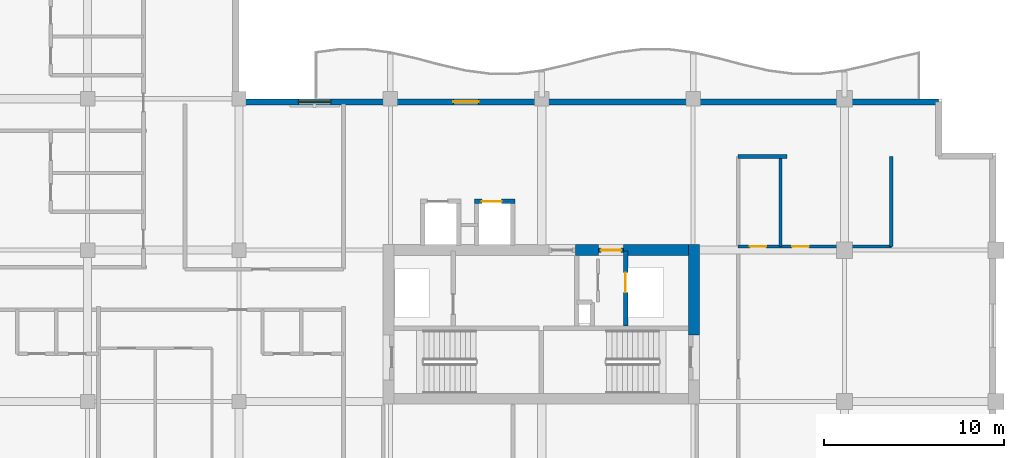
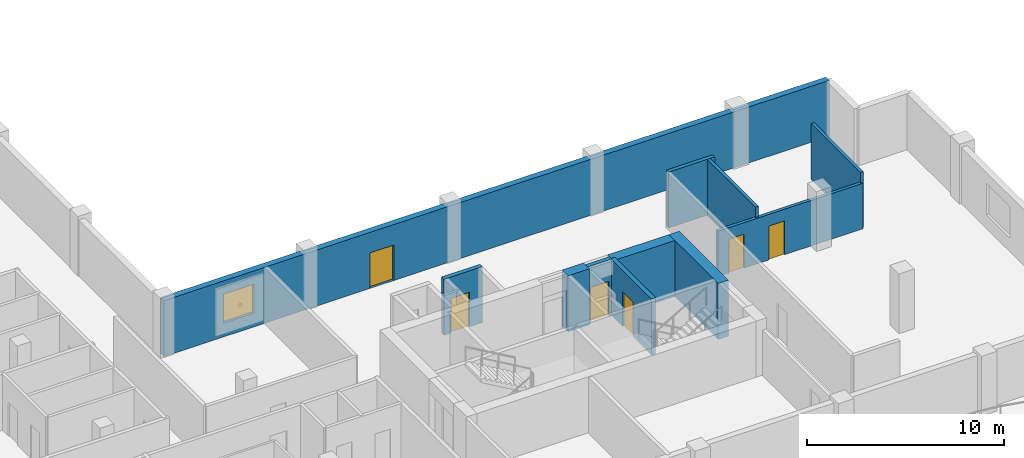
# One storey, part 5 of 12: 11 walls, 6 doors, 1 window, 7 openings.
"""IFC4 building model written with IfcOpenShell, lengths in metres."""

from ifc_helpers import new_model, si_unit, direction, frame, frame_2d, origin, place, context, subcontext, project, spatial, rectangle, extrude, material, layer, layer_set, type_object, element, fill, save


model = new_model("IFC4")

# Units and contexts
model_context = context("Model", 3, precision=1e-05, world=origin(), true_north=direction((0.0, 1.0)))
body_context = subcontext(model_context, "Body", "Model", "MODEL_VIEW")
ifc_project = project(units=[si_unit("LENGTHUNIT", "METRE"), si_unit("AREAUNIT", "SQUARE_METRE"), si_unit("VOLUMEUNIT", "CUBIC_METRE"), si_unit("PLANEANGLEUNIT", "RADIAN"), si_unit("MASSUNIT", "GRAM", prefix="KILO")], contexts=[model_context])

# Site, building, storey
site_placement = place(None, origin())
site = spatial("IfcSite", under=ifc_project, at=site_placement, CompositionType="ELEMENT")
building_placement = place(site_placement, origin())
building = spatial("IfcBuilding", under=site, at=building_placement, Name="Koriwani Terraces Tower", CompositionType="ELEMENT")
storey_placement = place(building_placement, frame((0.0, 0.0, 256.39990234375)))
storey = spatial("IfcBuildingStorey", under=building, at=storey_placement, Name="L63", CompositionType="ELEMENT", Elevation=256.39990234375)

# Walls
ifc_material_1 = material(Name="Concrete C60/75", Category="concrete")
ifc_layer_1 = layer(ifc_material_1, 0.60009765625, Name="Concrete C60/75")
ifc_layer_set_1 = layer_set([ifc_layer_1], Name="Concrete C60/75")
wall_type_1 = type_object("IfcWallType", Name="WALL_CORE_RC_600", PredefinedType="SHEAR", material=ifc_layer_set_1)
wall_1_placement = place(storey_placement, frame((58.85009765625, 20.5, 0.0), z_axis=(0.0, 0.0, 1.0), x_axis=(0.0, 1.0, 0.0)))
element("IfcWall", 1, at=wall_1_placement, inside=storey, type_object=wall_type_1, Name="L63 East Split Core Shear Wall E2", PredefinedType="SHEAR", context=body_context, shape_type="SweptSolid", body=[
    extrude(rectangle(XDim=5.0, YDim=0.60009765625, at=frame_2d((2.5, 0.0))), origin(), (0.0, 0.0, 1.0), 3.47021484375),
])
wall_2_placement = place(storey_placement, frame((52.280029296875, 25.199951171875, 0.0), z_axis=(0.0, 0.0, 1.0), x_axis=(1.0, 0.0, 0.0)))
element("IfcWall", 2, at=wall_2_placement, inside=storey, type_object=wall_type_1, Name="L63 East Split Core Shear Wall N2", PredefinedType="SHEAR", context=body_context, shape_type="SweptSolid", body=[
    extrude(rectangle(XDim=1.27001953125, YDim=0.60009765625, at=frame_2d((0.635009765625, 0.0))), origin(), (0.0, 0.0, 1.0), 3.47021484375),
])
wall_3_placement = place(storey_placement, frame((54.949951171875, 25.199951171875, 0.0), z_axis=(0.0, 0.0, 1.0), x_axis=(1.0, 0.0, 0.0)))
element("IfcWall", 3, at=wall_3_placement, inside=storey, type_object=wall_type_1, Name="L63 East Split Core Shear Wall N3", PredefinedType="SHEAR", context=body_context, shape_type="SweptSolid", body=[
    extrude(rectangle(XDim=3.60009765625, YDim=0.60009765625, at=frame_2d((1.800048828125, 0.0))), origin(), (0.0, 0.0, 1.0), 3.47021484375),
])
ifc_material_2 = material(Name="Autoclaved Cellular Concrete Blockwork", Category="masonry")
ifc_layer_2 = layer(ifc_material_2, 0.219970703125, Name="Autoclaved Cellular Concrete Blockwork")
ifc_layer_set_2 = layer_set([ifc_layer_2], Name="Autoclaved Cellular Concrete Blockwork")
wall_type_2 = type_object("IfcWallType", Name="WALL_DEMISING_220", PredefinedType="PARTITIONING", material=ifc_layer_set_2)
wall_4_placement = place(storey_placement, frame((61.300048828125, 30.39990234375, 0.0), z_axis=(0.0, 0.0, 1.0), x_axis=(1.0, 0.0, 0.0)))
element("IfcWall", 4, at=wall_4_placement, inside=storey, type_object=wall_type_2, Name="L63 Interior Wall WET-N-L63", PredefinedType="PARTITIONING", context=body_context, shape_type="SweptSolid", body=[
    extrude(rectangle(XDim=2.699951171875, YDim=0.219970703125, at=frame_2d((1.35009765625, 0.0))), origin(), (0.0, 0.0, 1.0), 3.47021484375),
])

# Wall, openings, door, window
ifc_material_3 = material(Name="Concrete C50/60", Category="concrete")
ifc_layer_3 = layer(ifc_material_3, 0.35009765625, Name="Concrete C50/60")
ifc_layer_set_3 = layer_set([ifc_layer_3], Name="Concrete C50/60")
wall_type_3 = type_object("IfcWallType", Name="WALL_EXT_BRUTALIST_350", PredefinedType="STANDARD", material=ifc_layer_set_3)
wall_5_placement = place(storey_placement, frame((33.425048828125, 33.425048828125, 0.0), z_axis=(0.0, 0.0, 1.0), x_axis=(1.0, 0.0, 0.0)))
wall_5 = element("IfcWall", 5, at=wall_5_placement, inside=storey, type_object=wall_type_3, Name="L63 Fair-Faced Brutalist Exterior Wall (NE)", PredefinedType="STANDARD", context=body_context, shape_type="SweptSolid", body=[
    extrude(rectangle(XDim=39.0, YDim=0.35009765625, at=frame_2d((19.5, 0.0))), origin(), (0.0, 0.0, 1.0), 3.47021484375),
])
opening_1_placement = place(wall_5_placement, frame((12.074951171875, 0.0, 0.0)))
opening_1 = element("IfcOpeningElement", 6, at=opening_1_placement, cuts=wall_5, Name="Opening D-09", PredefinedType="OPENING", context=body_context, shape_type="SweptSolid", body=[
    extrude(rectangle(XDim=1.39990234375, YDim=2.199951171875, at=frame_2d((0.699951171875, 1.10009765625))), frame((0.0, 0.18505859375, 0.0), z_axis=(0.0, -1.0, 0.0), x_axis=(1.0, 0.0, 0.0)), (0.0, 0.0, 1.0), 0.3701171875),
])
opening_2_placement = place(wall_5_placement, frame((3.47509765625, 0.0, 0.85009765625)))
opening_2 = element("IfcOpeningElement", 7, at=opening_2_placement, cuts=wall_5, Name="Opening W-04", PredefinedType="OPENING", context=body_context, shape_type="SweptSolid", body=[
    extrude(rectangle(XDim=1.800048828125, YDim=1.800048828125, at=frame_2d((0.89990234375, 0.89990234375))), frame((0.0, 0.18505859375, 0.0), z_axis=(0.0, -1.0, 0.0), x_axis=(1.0, 0.0, 0.0)), (0.0, 0.0, 1.0), 0.3701171875),
])
ifc_material_4 = material(Name="Anodised Bronze Aluminium", Category="aluminium")
door_type_1 = type_object("IfcDoorType", Name="DOOR_BALCONY_GLAZED_1400X2200", OperationType="NOTDEFINED", PredefinedType="DOOR", material=ifc_material_4)
door_1_placement = place(opening_1_placement, origin())
door_1 = element("IfcDoor", 8, at=door_1_placement, inside=storey, type_object=door_type_1, Name="L63 Inner Court Balcony Glazed Door", OperationType="SINGLE_SWING_LEFT", OverallHeight=2.199951171875, OverallWidth=1.39990234375, PredefinedType="DOOR", context=body_context, shape_type="SweptSolid", body=[
    extrude(rectangle(XDim=1.39990234375, YDim=2.199951171875, at=frame_2d((0.699951171875, 1.10009765625))), frame((0.0, 0.02490234375, 0.0), z_axis=(0.0, -1.0, 0.0), x_axis=(1.0, 0.0, 0.0)), (0.0, 0.0, 1.0), 0.050048828125),
])
fill(opening_1, door_1)
ifc_material_5 = material(Name="Tempered Laminated Low-E Glass", Category="glass")
window_type = type_object("IfcWindowType", Name="WIN_RES_BED_1800X1800", PartitioningType="DOUBLE_PANEL_VERTICAL", PredefinedType="WINDOW", material=ifc_material_5)
window_placement = place(opening_2_placement, origin())
window = element("IfcWindow", 9, at=window_placement, inside=storey, type_object=window_type, Name="L63 Exterior Window (NE-2)", OverallHeight=1.800048828125, OverallWidth=1.800048828125, PartitioningType="SINGLE_PANEL", PredefinedType="WINDOW", context=body_context, shape_type="SweptSolid", body=[
    extrude(rectangle(XDim=1.800048828125, YDim=1.800048828125, at=frame_2d((0.89990234375, 0.89990234375))), frame((0.0, 0.030029296875, 0.0), z_axis=(0.0, -1.0, 0.0), x_axis=(1.0, 0.0, 0.0)), (0.0, 0.0, 1.0), 0.06005859375),
])
fill(opening_2, window)

# Wall, openings, doors
ifc_material_6 = material(Name="Fire-Rated Acoustic Gypsum Partition", Category="masonry")
ifc_layer_4 = layer(ifc_material_6, 0.179931640625, Name="Fire-Rated Acoustic Gypsum Partition")
ifc_layer_set_4 = layer_set([ifc_layer_4], Name="Fire-Rated Acoustic Gypsum Partition")
wall_type_4 = type_object("IfcWallType", Name="WALL_PLUMBING_180", PredefinedType="PLUMBINGWALL", material=ifc_layer_set_4)
wall_6_placement = place(storey_placement, frame((61.300048828125, 25.39990234375, 0.0), z_axis=(0.0, 0.0, 1.0), x_axis=(1.0, 0.0, 0.0)))
wall_6 = element("IfcWall", 10, at=wall_6_placement, inside=storey, type_object=wall_type_4, Name="L63 Interior Wall WET-SVB-L63", PredefinedType="PLUMBINGWALL", context=body_context, shape_type="SweptSolid", body=[
    extrude(rectangle(XDim=8.5, YDim=0.179931640625, at=frame_2d((4.25, 0.0))), origin(), (0.0, 0.0, 1.0), 2.820068359375),
])
opening_3_placement = place(wall_6_placement, frame((0.64990234375, 0.0, 0.0)))
opening_3 = element("IfcOpeningElement", 11, at=opening_3_placement, cuts=wall_6, Name="Opening D-07", PredefinedType="OPENING", context=body_context, shape_type="SweptSolid", body=[
    extrude(rectangle(XDim=0.89990234375, YDim=2.10009765625, at=frame_2d((0.449951171875, 1.050048828125))), frame((0.0, 0.10009765625, 0.0), z_axis=(0.0, -1.0, 0.0), x_axis=(1.0, 0.0, 0.0)), (0.0, 0.0, 1.0), 0.199951171875),
])
opening_4_placement = place(wall_6_placement, frame((3.0, 0.0, 0.0)))
opening_4 = element("IfcOpeningElement", 12, at=opening_4_placement, cuts=wall_6, Name="Opening D-06", PredefinedType="OPENING", context=body_context, shape_type="SweptSolid", body=[
    extrude(rectangle(XDim=0.919921875, YDim=2.10009765625, at=frame_2d((0.4599609375, 1.050048828125))), frame((0.0, 0.10009765625, 0.0), z_axis=(0.0, -1.0, 0.0), x_axis=(1.0, 0.0, 0.0)), (0.0, 0.0, 1.0), 0.199951171875),
])
ifc_material_7 = material(Name="Architectural Oak Fire Door", Category="wood")
door_type_2 = type_object("IfcDoorType", Name="DOOR_BATH_INT_900X2100", OperationType="NOTDEFINED", PredefinedType="DOOR", material=ifc_material_7)
door_2_placement = place(opening_3_placement, origin())
door_2 = element("IfcDoor", 13, at=door_2_placement, inside=storey, type_object=door_type_2, Name="Apartment 63ET Bathroom Door", OperationType="SINGLE_SWING_RIGHT", OverallHeight=2.10009765625, OverallWidth=0.89990234375, PredefinedType="DOOR", context=body_context, shape_type="SweptSolid", body=[
    extrude(rectangle(XDim=0.89990234375, YDim=2.10009765625, at=frame_2d((0.449951171875, 1.050048828125))), frame((0.0, 0.02490234375, 0.0), z_axis=(0.0, -1.0, 0.0), x_axis=(1.0, 0.0, 0.0)), (0.0, 0.0, 1.0), 0.050048828125),
])
fill(opening_3, door_2)
door_type_3 = type_object("IfcDoorType", Name="DOOR_ROOM_INT_920X2100", OperationType="NOTDEFINED", PredefinedType="DOOR", material=ifc_material_7)
door_3_placement = place(opening_4_placement, origin())
door_3 = element("IfcDoor", 14, at=door_3_placement, inside=storey, type_object=door_type_3, Name="Apartment 63ET Kitchen Door", OperationType="SINGLE_SWING_LEFT", OverallHeight=2.10009765625, OverallWidth=0.919921875, PredefinedType="DOOR", context=body_context, shape_type="SweptSolid", body=[
    extrude(rectangle(XDim=0.919921875, YDim=2.10009765625, at=frame_2d((0.4599609375, 1.050048828125))), frame((0.0, 0.02490234375, 0.0), z_axis=(0.0, -1.0, 0.0), x_axis=(1.0, 0.0, 0.0)), (0.0, 0.0, 1.0), 0.050048828125),
])
fill(opening_4, door_3)

# Walls
for number, where, z_axis, x_axis, name in (
    (15, (63.64990234375, 25.39990234375, 0.0), (0.0, 0.0, 1.0), (0.0, 1.0, 0.0), "L63 Interior Wall WET-SVCM-L63"),
    (16, (69.800048828125, 25.39990234375, 0.0), (0.0, 0.0, 1.0), (0.0, 1.0, 0.0), "L63 Interior Wall WET-SVKE-L63"),
):
    element("IfcWall", number, at=place(storey_placement, frame(where, z_axis=z_axis, x_axis=x_axis)), inside=storey, type_object=wall_type_4, Name=name, PredefinedType="PLUMBINGWALL", context=body_context, shape_type="SweptSolid", body=[
        extrude(rectangle(XDim=5.0, YDim=0.179931640625, at=frame_2d((2.5, 0.0))), origin(), (0.0, 0.0, 1.0), 3.47021484375),
    ])

# Wall, opening, door
ifc_material_8 = material(Name="Concrete C40/50", Category="concrete")
ifc_layer_5 = layer(ifc_material_8, 0.25, Name="Concrete C40/50")
ifc_layer_set_5 = layer_set([ifc_layer_5], Name="Concrete C40/50")
wall_type_5 = type_object("IfcWallType", Name="WALL_SHAFT_RATED_250", PredefinedType="SOLIDWALL", material=ifc_layer_set_5)
wall_7_placement = place(storey_placement, frame((55.050048828125, 21.0, 0.0), z_axis=(0.0, 0.0, 1.0), x_axis=(0.0, 1.0, 0.0)))
wall_7 = element("IfcWall", 17, at=wall_7_placement, inside=storey, type_object=wall_type_5, Name="L63 Interior Wall WIN-CE-L63-SE", PredefinedType="SOLIDWALL", context=body_context, shape_type="SweptSolid", body=[
    extrude(rectangle(XDim=4.14990234375, YDim=0.25, at=frame_2d((2.074951171875, 0.0))), origin(), (0.0, 0.0, 1.0), 3.47021484375),
])
opening_5_placement = place(wall_7_placement, frame((1.85009765625, 0.0, 0.0)))
opening_5 = element("IfcOpeningElement", 18, at=opening_5_placement, cuts=wall_7, Name="Opening LD-01", PredefinedType="OPENING", context=body_context, shape_type="SweptSolid", body=[
    extrude(rectangle(XDim=1.10009765625, YDim=2.14990234375, at=frame_2d((0.550048828125, 1.074951171875))), frame((0.0, 0.135009765625, 0.0), z_axis=(0.0, -1.0, 0.0), x_axis=(1.0, 0.0, 0.0)), (0.0, 0.0, 1.0), 0.27001953125),
])
ifc_material_9 = material(Name="Steel ASTM A572 Grade 50", Category="steel")
door_type_4 = type_object("IfcDoorType", Name="DOOR_LIFT_LANDING_1100X2200", OperationType="NOTDEFINED", PredefinedType="DOOR", material=ifc_material_9)
door_4_placement = place(opening_5_placement, origin())
door_4 = element("IfcDoor", 19, at=door_4_placement, inside=storey, type_object=door_type_4, Name="L63 Goods Lift SE-02 Landing Door", OperationType="SLIDING_TO_LEFT", OverallHeight=2.14990234375, OverallWidth=1.10009765625, PredefinedType="DOOR", context=body_context, shape_type="SweptSolid", body=[
    extrude(rectangle(XDim=1.10009765625, YDim=2.14990234375, at=frame_2d((0.550048828125, 1.074951171875))), frame((0.0, 0.02490234375, 0.0), z_axis=(0.0, -1.0, 0.0), x_axis=(1.0, 0.0, 0.0)), (0.0, 0.0, 1.0), 0.050048828125),
])
fill(opening_5, door_4)

wall_8_placement = place(storey_placement, frame((53.550048828125, 25.199951171875, 0.0), z_axis=(0.0, 0.0, 1.0), x_axis=(1.0, 0.0, 0.0)))
wall_8 = element("IfcWall", 20, at=wall_8_placement, inside=storey, type_object=wall_type_5, Name="L63 Interior Wall WIN-CE-L63-NP2", PredefinedType="SOLIDWALL", context=body_context, shape_type="SweptSolid", body=[
    extrude(rectangle(XDim=1.39990234375, YDim=0.25, at=frame_2d((0.699951171875, 0.0))), origin(), (0.0, 0.0, 1.0), 3.47021484375),
])
opening_6_placement = place(wall_8_placement, frame((0.14990234375, 0.0, 0.0)))
opening_6 = element("IfcOpeningElement", 21, at=opening_6_placement, cuts=wall_8, Name="Opening D-03", PredefinedType="OPENING", context=body_context, shape_type="SweptSolid", body=[
    extrude(rectangle(XDim=1.10009765625, YDim=2.14990234375, at=frame_2d((0.550048828125, 1.074951171875))), frame((0.0, 0.135009765625, 0.0), z_axis=(0.0, -1.0, 0.0), x_axis=(1.0, 0.0, 0.0)), (0.0, 0.0, 1.0), 0.27001953125),
])
door_type_5 = type_object("IfcDoorType", Name="DOOR_STAIR_FIRE_1100X2150", OperationType="NOTDEFINED", PredefinedType="DOOR", material=ifc_material_9)
door_5_placement = place(opening_6_placement, origin())
door_5 = element("IfcDoor", 22, at=door_5_placement, inside=storey, type_object=door_type_5, Name="L63 East Goods Lift Lobby Door", OperationType="SINGLE_SWING_LEFT", OverallHeight=2.14990234375, OverallWidth=1.10009765625, PredefinedType="DOOR", context=body_context, shape_type="SweptSolid", body=[
    extrude(rectangle(XDim=1.10009765625, YDim=2.14990234375, at=frame_2d((0.550048828125, 1.074951171875))), frame((0.0, 0.02490234375, 0.0), z_axis=(0.0, -1.0, 0.0), x_axis=(1.0, 0.0, 0.0)), (0.0, 0.0, 1.0), 0.050048828125),
])
fill(opening_6, door_5)

wall_9_placement = place(storey_placement, frame((46.675048828125, 27.89990234375, 0.0), z_axis=(0.0, 0.0, 1.0), x_axis=(1.0, 0.0, 0.0)))
wall_9 = element("IfcWall", 23, at=wall_9_placement, inside=storey, type_object=wall_type_5, Name="L63 Interior Wall WIN-LF-PE-H4-L63-F", PredefinedType="SOLIDWALL", context=body_context, shape_type="SweptSolid", body=[
    extrude(rectangle(XDim=2.25, YDim=0.25, at=frame_2d((1.125, 0.0))), origin(), (0.0, 0.0, 1.0), 3.47021484375),
])
opening_7_placement = place(wall_9_placement, frame((0.39990234375, 0.0, 0.0)))
opening_7 = element("IfcOpeningElement", 24, at=opening_7_placement, cuts=wall_9, Name="Opening LD-01", PredefinedType="OPENING", context=body_context, shape_type="SweptSolid", body=[
    extrude(rectangle(XDim=1.10009765625, YDim=2.14990234375, at=frame_2d((0.550048828125, 1.074951171875))), frame((0.0, 0.135009765625, 0.0), z_axis=(0.0, -1.0, 0.0), x_axis=(1.0, 0.0, 0.0)), (0.0, 0.0, 1.0), 0.27001953125),
])
door_6_placement = place(opening_7_placement, origin())
door_6 = element("IfcDoor", 25, at=door_6_placement, inside=storey, type_object=door_type_4, Name="L63 Passenger Lift PE-H4 Landing Door", OperationType="SLIDING_TO_LEFT", OverallHeight=2.14990234375, OverallWidth=1.10009765625, PredefinedType="DOOR", context=body_context, shape_type="SweptSolid", body=[
    extrude(rectangle(XDim=1.10009765625, YDim=2.14990234375, at=frame_2d((0.550048828125, 1.074951171875))), frame((0.0, 0.02490234375, 0.0), z_axis=(0.0, -1.0, 0.0), x_axis=(1.0, 0.0, 0.0)), (0.0, 0.0, 1.0), 0.050048828125),
])
fill(opening_7, door_6)

save(model, "model.ifc")
